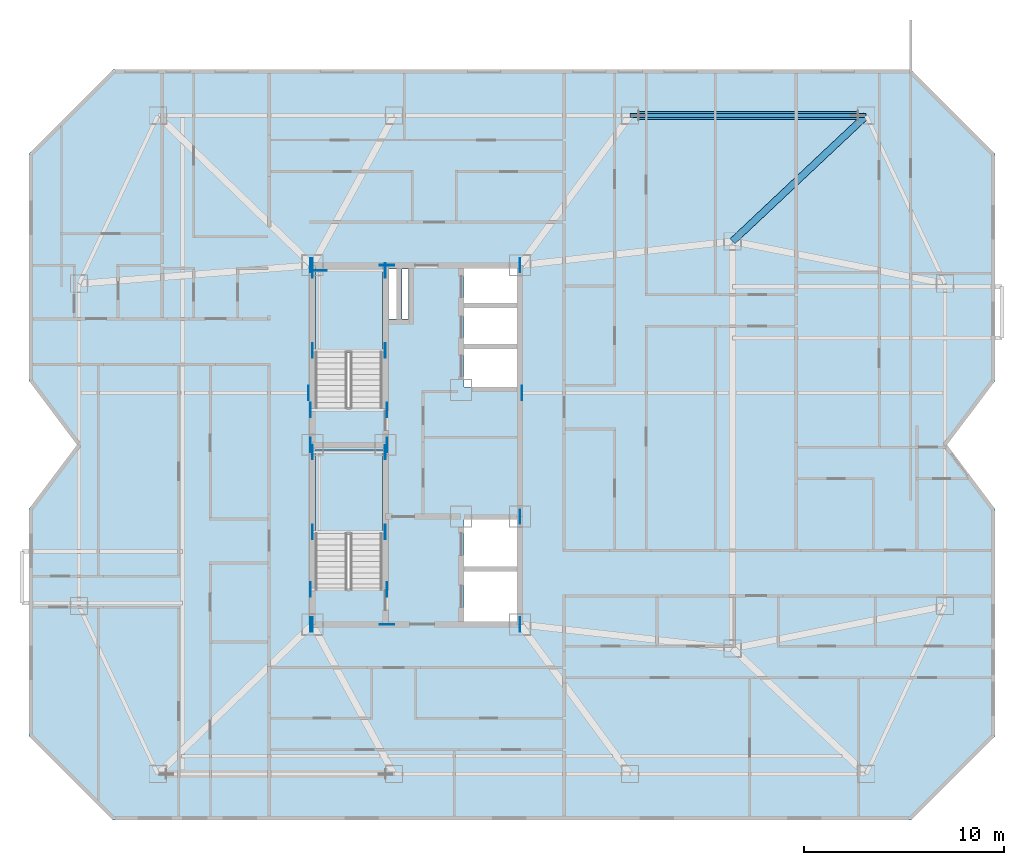
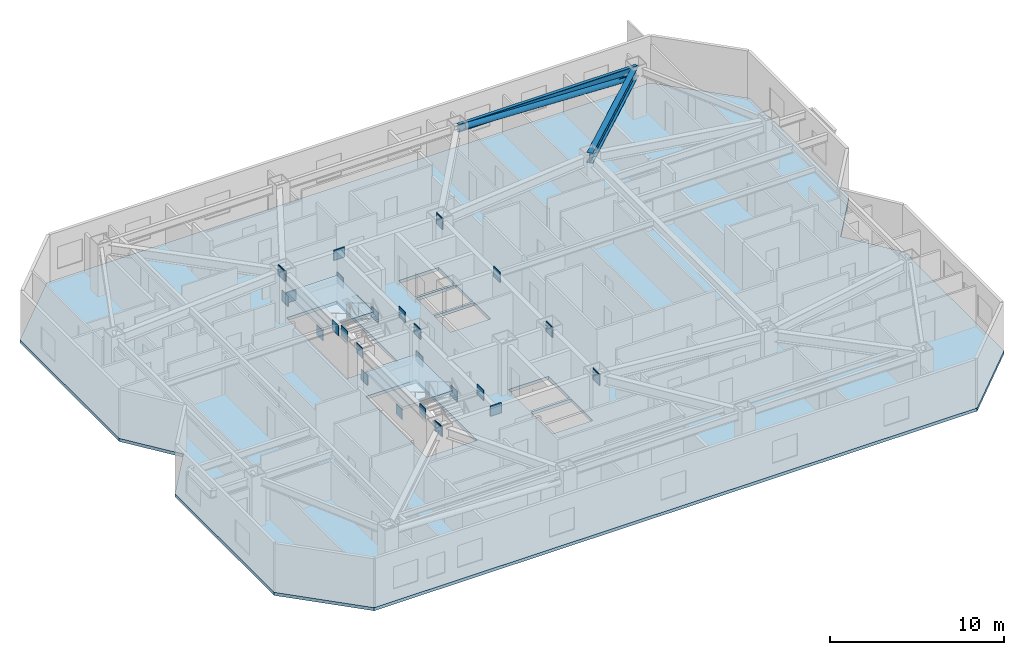
# One storey, part 2 of 12: 28 plates, 3 slabs, 2 beams, 1 member, 2 elements without a shape of their own.
"""IFC4 building model written with IfcOpenShell, lengths in metres."""

from ifc_helpers import new_model, si_unit, direction, frame, origin, origin_2d, place, context, subcontext, project, spatial, polyline, rectangle, hollow_circle, i_section, outline, extrude, material, layer, layer_set, material_profile, profile_set, type_object, element, aggregate, save


model = new_model("IFC4")

# Units and contexts
model_context = context("Model", 3, precision=1e-05, world=origin(), true_north=direction((0.0, 1.0)))
body_context = subcontext(model_context, "Body", "Model", "MODEL_VIEW")
ifc_project = project(units=[si_unit("LENGTHUNIT", "METRE"), si_unit("AREAUNIT", "SQUARE_METRE"), si_unit("VOLUMEUNIT", "CUBIC_METRE"), si_unit("PLANEANGLEUNIT", "RADIAN"), si_unit("MASSUNIT", "GRAM", prefix="KILO")], contexts=[model_context])

# Site, building, storey
site_placement = place(None, origin())
site = spatial("IfcSite", under=ifc_project, at=site_placement, CompositionType="ELEMENT")
building_placement = place(site_placement, origin())
building = spatial("IfcBuilding", under=site, at=building_placement, Name="Khamvora Tower", CompositionType="ELEMENT")
storey_placement = place(building_placement, frame((0.0, 0.0, 177.800048828125)))
storey = spatial("IfcBuildingStorey", under=building, at=storey_placement, Name="L45", CompositionType="ELEMENT", Elevation=177.800048828125)

# Beams
ifc_material_1 = material(Name="Steel S355", Category="steel")
ifc_material_profile_1 = material_profile(ifc_material_1, i_section(OverallWidth=0.35498046875, OverallDepth=0.695068359375, WebThickness=0.014892578125, FlangeThickness=0.02490234375, FilletRadius=0.01611328125, at=origin_2d()), Name="W690x217")
ifc_profile_set_1 = profile_set([ifc_material_profile_1], Name="Steel S355")
beam_type_1 = type_object("IfcBeamType", Name="BM-PG-W690x217", PredefinedType="BEAM", material=ifc_profile_set_1)
beam_1_placement = place(storey_placement, frame((50.050048828125, 38.199951171875, 3.08203125), z_axis=(0.728513992294, 0.685030921224, 0.0), x_axis=(-0.685030921224, 0.728513992294, 0.0)))
element("IfcBeam", 1, at=beam_1_placement, inside=storey, type_object=beam_type_1, Name="L45 primary floor girder N4", PredefinedType="BEAM", context=body_context, shape_type="SweptSolid", body=[
    extrude(i_section(OverallWidth=0.35498046875, OverallDepth=0.695068359375, WebThickness=0.014892578125, FlangeThickness=0.02490234375, FilletRadius=0.01611328125, at=origin_2d()), origin(), (0.0, 0.0, 1.0), 9.19677734375),
])
ifc_material_profile_2 = material_profile(ifc_material_1, i_section(OverallWidth=0.2119140625, OverallDepth=0.5439453125, WebThickness=0.012939453125, FlangeThickness=0.02099609375, FilletRadius=0.013916015625, at=origin_2d()), Name="W530x123")
ifc_profile_set_2 = profile_set([ifc_material_profile_2], Name="Steel S355")
beam_type_2 = type_object("IfcBeamType", Name="BM-SP-W530x123", PredefinedType="SPANDREL", material=ifc_profile_set_2)
beam_2_placement = place(storey_placement, frame((56.75, 44.5, 3.157958984375), z_axis=(-1.0, 0.0, 0.0), x_axis=(0.0, -1.0, 0.0)))
element("IfcBeam", 2, at=beam_2_placement, inside=storey, type_object=beam_type_2, Name="L45 perimeter spandrel beam N4-N3", PredefinedType="SPANDREL", context=body_context, shape_type="SweptSolid", body=[
    extrude(i_section(OverallWidth=0.2119140625, OverallDepth=0.5439453125, WebThickness=0.012939453125, FlangeThickness=0.02099609375, FilletRadius=0.013916015625, at=origin_2d()), origin(), (0.0, 0.0, 1.0), 11.8330078125),
])

# Member
ifc_material_profile_3 = material_profile(ifc_material_1, hollow_circle(Radius=0.202880859375, WallThickness=0.01611328125, at=origin_2d()), Name="CHS406x16")
ifc_profile_set_3 = profile_set([ifc_material_profile_3], Name="Steel S355")
member_type = type_object("IfcMemberType", Name="MEM-BR-CHS406", PredefinedType="BRACE", material=ifc_profile_set_3)
member_placement = place(storey_placement, frame((56.320068359375, 44.5, 2.697998046875), z_axis=(-0.999174860809, 0.0, 0.040615237634), x_axis=(0.0, -1.0, 0.0)))
element("IfcMember", 3, at=member_placement, inside=storey, type_object=member_type, Name="L45 perimeter wind brace 2", PredefinedType="BRACE", context=body_context, shape_type="SweptSolid", body=[
    extrude(hollow_circle(Radius=0.202880859375, WallThickness=0.01611328125, at=origin_2d()), origin(), (0.0, 0.0, 1.0), 10.982177734375),
])

# Plates
ifc_material_2 = material(Name="Steel S460", Category="steel")
ifc_layer_1 = layer(ifc_material_2, 0.034912109375)
ifc_layer_set_1 = layer_set([ifc_layer_1], Name="Steel S460")
plate_type = type_object("IfcPlateType", Name="PL-EMB-35", PredefinedType="SHEET", material=ifc_layer_set_1)
for number, where, z_axis, x_axis, name in (
    (4, (29.0, 23.635009765625, 1.1337890625), (0.0, 0.0, 1.0), (1.0, 0.0, 0.0), "L45 core shear wall cast-in embed plate 1310"),
    (5, (32.64990234375, 23.635009765625, 1.1337890625), (0.0, 0.0, 1.0), (1.0, 0.0, 0.0), "L45 core shear wall cast-in embed plate 1311"),
    (6, (29.0, 27.6298828125, 1.1337890625), (0.0, 0.0, 1.0), (1.0, 0.0, 0.0), "L45 core shear wall cast-in embed plate 1312"),
    (7, (32.64990234375, 27.6298828125, 1.1337890625), (0.0, 0.0, 1.0), (1.0, 0.0, 0.0), "L45 core shear wall cast-in embed plate 1313"),
    (8, (29.0, 32.735107421875, 1.1337890625), (0.0, 0.0, 1.0), (1.0, 0.0, 0.0), "L45 core shear wall cast-in embed plate 1314"),
    (9, (32.64990234375, 32.735107421875, 1.1337890625), (0.0, 0.0, 1.0), (1.0, 0.0, 0.0), "L45 core shear wall cast-in embed plate 1315"),
    (10, (29.0, 36.72998046875, 1.1337890625), (0.0, 0.0, 1.0), (1.0, 0.0, 0.0), "L45 core shear wall cast-in embed plate 1316"),
    (11, (32.64990234375, 36.72998046875, 1.1337890625), (0.0, 0.0, 1.0), (1.0, 0.0, 0.0), "L45 core shear wall cast-in embed plate 1317"),
):
    element("IfcPlate", number, at=place(storey_placement, frame(where, z_axis=z_axis, x_axis=x_axis)), inside=storey, type_object=plate_type, Name=name, PredefinedType="SHEET", context=body_context, shape_type="SweptSolid", body=[
        extrude(rectangle(XDim=0.034912109375, YDim=0.719970703125, at=origin_2d()), origin(), (0.0, 0.0, 1.0), 0.719970703125),
    ])
plate_1_placement = place(storey_placement, frame((29.35009765625, 36.72998046875, 1.1337890625), z_axis=(0.0, 0.0, 1.0), x_axis=(1.0, 0.0, 0.0)))
element("IfcPlate", 12, at=plate_1_placement, inside=storey, type_object=plate_type, Name="L45 core shear wall cast-in embed plate 1318", PredefinedType="SHEET", context=body_context, shape_type="SweptSolid", body=[
    extrude(rectangle(XDim=0.719970703125, YDim=0.034912109375, at=origin_2d()), origin(), (0.0, 0.0, 1.0), 0.719970703125),
])
for number, where, z_axis, x_axis, name in (
    (13, (29.0, 19.0, 2.72216796875), (0.0, 0.0, 1.0), (1.0, 0.0, 0.0), "L45 core shear wall cast-in embed plate 1319"),
    (14, (39.39990234375, 19.0, 2.72216796875), (0.0, 0.0, 1.0), (1.0, 0.0, 0.0), "L45 core shear wall cast-in embed plate 1320"),
    (15, (29.0, 37.0, 2.72216796875), (0.0, 0.0, 1.0), (1.0, 0.0, 0.0), "L45 core shear wall cast-in embed plate 1321"),
    (16, (39.39990234375, 37.0, 2.72216796875), (0.0, 0.0, 1.0), (1.0, 0.0, 0.0), "L45 core shear wall cast-in embed plate 1322"),
    (17, (28.89990234375, 19.0, 2.802734375), (0.0, 0.0, 1.0), (1.0, 0.0, 0.0), "L45 core shear wall cast-in embed plate 1323"),
    (18, (28.89990234375, 28.0, 2.802734375), (0.0, 0.0, 1.0), (1.0, 0.0, 0.0), "L45 core shear wall cast-in embed plate 1324"),
    (19, (28.89990234375, 37.0, 2.802734375), (0.0, 0.0, 1.0), (1.0, 0.0, 0.0), "L45 core shear wall cast-in embed plate 1325"),
):
    element("IfcPlate", number, at=place(storey_placement, frame(where, z_axis=z_axis, x_axis=x_axis)), inside=storey, type_object=plate_type, Name=name, PredefinedType="SHEET", context=body_context, shape_type="SweptSolid", body=[
        extrude(rectangle(XDim=0.034912109375, YDim=0.719970703125, at=origin_2d()), origin(), (0.0, 0.0, 1.0), 0.719970703125),
    ])
plate_2_placement = place(storey_placement, frame((32.72998046875, 19.0, 2.802734375), z_axis=(0.0, 0.0, 1.0), x_axis=(1.0, 0.0, 0.0)))
element("IfcPlate", 20, at=plate_2_placement, inside=storey, type_object=plate_type, Name="L45 core shear wall cast-in embed plate 1326", PredefinedType="SHEET", context=body_context, shape_type="SweptSolid", body=[
    extrude(rectangle(XDim=0.719970703125, YDim=0.034912109375, at=origin_2d()), origin(), (0.0, 0.0, 1.0), 0.719970703125),
])
plate_3_placement = place(storey_placement, frame((32.72998046875, 28.0, 2.802734375), z_axis=(0.0, 0.0, 1.0), x_axis=(1.0, 0.0, 0.0)))
element("IfcPlate", 21, at=plate_3_placement, inside=storey, type_object=plate_type, Name="L45 core shear wall cast-in embed plate 1327", PredefinedType="SHEET", context=body_context, shape_type="SweptSolid", body=[
    extrude(rectangle(XDim=0.034912109375, YDim=0.719970703125, at=origin_2d()), origin(), (0.0, 0.0, 1.0), 0.719970703125),
])
plate_4_placement = place(storey_placement, frame((32.72998046875, 37.0, 2.802734375), z_axis=(0.0, 0.0, 1.0), x_axis=(1.0, 0.0, 0.0)))
element("IfcPlate", 22, at=plate_4_placement, inside=storey, type_object=plate_type, Name="L45 core shear wall cast-in embed plate 1328", PredefinedType="SHEET", context=body_context, shape_type="SweptSolid", body=[
    extrude(rectangle(XDim=0.719970703125, YDim=0.034912109375, at=origin_2d()), origin(), (0.0, 0.0, 1.0), 0.719970703125),
])
for number, where, z_axis, x_axis, name in (
    (23, (39.39990234375, 19.0, 2.802734375), (0.0, 0.0, 1.0), (1.0, 0.0, 0.0), "L45 core shear wall cast-in embed plate 1329"),
    (24, (39.39990234375, 24.39990234375, 2.802734375), (0.0, 0.0, 1.0), (1.0, 0.0, 0.0), "L45 core shear wall cast-in embed plate 1330"),
    (25, (39.39990234375, 37.0, 2.802734375), (0.0, 0.0, 1.0), (1.0, 0.0, 0.0), "L45 core shear wall cast-in embed plate 1331"),
    (26, (28.89990234375, 20.75, 2.94384765625), (0.0, 0.0, 1.0), (1.0, 0.0, 0.0), "L45 core shear wall cast-in embed plate 1332"),
    (27, (32.72998046875, 20.75, 2.94384765625), (0.0, 0.0, 1.0), (1.0, 0.0, 0.0), "L45 core shear wall cast-in embed plate 1333"),
    (28, (28.89990234375, 29.75, 2.94384765625), (0.0, 0.0, 1.0), (1.0, 0.0, 0.0), "L45 core shear wall cast-in embed plate 1334"),
    (29, (32.72998046875, 29.75, 2.94384765625), (0.0, 0.0, 1.0), (1.0, 0.0, 0.0), "L45 core shear wall cast-in embed plate 1335"),
    (30, (28.800048828125, 30.60009765625, 2.86572265625), (0.0, 0.0, 1.0), (1.0, 0.0, 0.0), "L45 core shear wall cast-in embed plate 1336"),
    (31, (39.4990234375, 30.60009765625, 2.86572265625), (0.0, 0.0, 1.0), (1.0, 0.0, 0.0), "L45 core shear wall cast-in embed plate 1337"),
):
    element("IfcPlate", number, at=place(storey_placement, frame(where, z_axis=z_axis, x_axis=x_axis)), inside=storey, type_object=plate_type, Name=name, PredefinedType="SHEET", context=body_context, shape_type="SweptSolid", body=[
        extrude(rectangle(XDim=0.034912109375, YDim=0.719970703125, at=origin_2d()), origin(), (0.0, 0.0, 1.0), 0.719970703125),
    ])

# Stair, slab
ifc_material_3 = material(Name="Concrete C40/50", Category="concrete")
stair_type_1 = type_object("IfcStairType", Name="STR-ST-01", PredefinedType="HALF_TURN_STAIR", material=ifc_material_3)
stair_1_placement = place(storey_placement, origin())
stair_1 = element("IfcStair", 32, at=stair_1_placement, inside=storey, type_object=stair_type_1, Name="L45 South Tower Exit Stair ST-01", PredefinedType="HALF_TURN_STAIR")
ifc_layer_2 = layer(ifc_material_3, 0.199951171875)
ifc_layer_set_2 = layer_set([ifc_layer_2], Name="Concrete C40/50")
slab_type_1 = type_object("IfcSlabType", Name="SLB-LND-200", PredefinedType="LANDING", material=ifc_layer_set_2)
slab_1_placement = place(storey_placement, frame((0.0, 0.0, 1.625)))
slab_1 = element("IfcSlab", 33, at=slab_1_placement, type_object=slab_type_1, Name="ST-01 landing 1", PredefinedType="LANDING", context=body_context, shape_type="SweptSolid", body=[
    extrude(outline(polyline([(32.5, 23.514892578125), (32.5, 27.75), (29.14990234375, 27.75), (29.14990234375, 23.514892578125), (32.5, 23.514892578125)])), origin(), (0.0, 0.0, 1.0), 0.199951171875),
])
aggregate(stair_1, [slab_1])

stair_type_2 = type_object("IfcStairType", Name="STR-ST-02", PredefinedType="HALF_TURN_STAIR", material=ifc_material_3)
stair_2_placement = place(storey_placement, origin())
stair_2 = element("IfcStair", 34, at=stair_2_placement, inside=storey, type_object=stair_type_2, Name="L45 North Tower Exit Stair ST-02", PredefinedType="HALF_TURN_STAIR")
slab_2_placement = place(storey_placement, frame((0.0, 0.0, 1.625)))
slab_2 = element("IfcSlab", 35, at=slab_2_placement, type_object=slab_type_1, Name="ST-02 landing 1", PredefinedType="LANDING", context=body_context, shape_type="SweptSolid", body=[
    extrude(outline(polyline([(32.5, 32.614990234375), (32.5, 36.85009765625), (29.14990234375, 36.85009765625), (29.14990234375, 32.614990234375), (32.5, 32.614990234375)])), origin(), (0.0, 0.0, 1.0), 0.199951171875),
])
aggregate(stair_2, [slab_2])

# Slab
ifc_material_4 = material(Name="Concrete C35/45", Category="concrete")
ifc_layer_3 = layer(ifc_material_4, 0.219970703125)
ifc_layer_set_3 = layer_set([ifc_layer_3], Name="Concrete C35/45")
slab_type_2 = type_object("IfcSlabType", Name="SLB-TYP-220", PredefinedType="FLOOR", material=ifc_layer_set_3)
slab_3_placement = place(storey_placement, frame((0.0, 0.0, -0.219970703125)))
element("IfcSlab", 36, at=slab_3_placement, inside=storey, type_object=slab_type_2, Name="L45 structural floor slab", PredefinedType="FLOOR", context=body_context, shape_type="SweptSolid", body=[
    extrude(outline(polyline([(19.0, 9.199951171875), (59.0, 9.199951171875), (63.199951171875, 13.39990234375), (63.199951171875, 24.800048828125), (60.800048828125, 28.0), (63.199951171875, 31.199951171875), (63.199951171875, 42.60009765625), (59.0, 46.800048828125), (19.0, 46.800048828125), (14.800048828125, 42.60009765625), (14.800048828125, 31.199951171875), (17.199951171875, 28.0), (14.800048828125, 24.800048828125), (14.800048828125, 13.39990234375), (19.0, 9.199951171875)]), holes=[polyline([(32.5, 20.760009765625), (32.5, 27.75), (29.14990234375, 27.75), (29.14990234375, 20.760009765625), (32.5, 20.760009765625)]), polyline([(32.5, 29.860107421875), (32.5, 36.85009765625), (29.14990234375, 36.85009765625), (29.14990234375, 29.860107421875), (32.5, 29.860107421875)]), polyline([(36.60009765625, 19.14990234375), (39.25, 19.14990234375), (39.25, 21.64990234375), (36.60009765625, 21.64990234375), (36.60009765625, 19.14990234375)]), polyline([(36.60009765625, 21.800048828125), (39.25, 21.800048828125), (39.25, 24.25), (36.60009765625, 24.25), (36.60009765625, 21.800048828125)]), polyline([(36.60009765625, 30.89990234375), (39.25, 30.89990234375), (39.25, 32.800048828125), (36.60009765625, 32.800048828125), (36.60009765625, 30.89990234375)]), polyline([(36.60009765625, 32.949951171875), (39.25, 32.949951171875), (39.25, 34.85009765625), (36.60009765625, 34.85009765625), (36.60009765625, 32.949951171875)]), polyline([(36.60009765625, 35.0), (39.25, 35.0), (39.25, 36.85009765625), (36.60009765625, 36.85009765625), (36.60009765625, 35.0)]), polyline([(32.800048828125, 34.300048828125), (33.199951171875, 34.300048828125), (33.199951171875, 36.800048828125), (32.800048828125, 36.800048828125), (32.800048828125, 34.300048828125)]), polyline([(33.47998046875, 34.300048828125), (33.820068359375, 34.300048828125), (33.820068359375, 36.800048828125), (33.47998046875, 36.800048828125), (33.47998046875, 34.300048828125)])]), origin(), (0.0, 0.0, 1.0), 0.219970703125),
])

save(model, "model.ifc")
